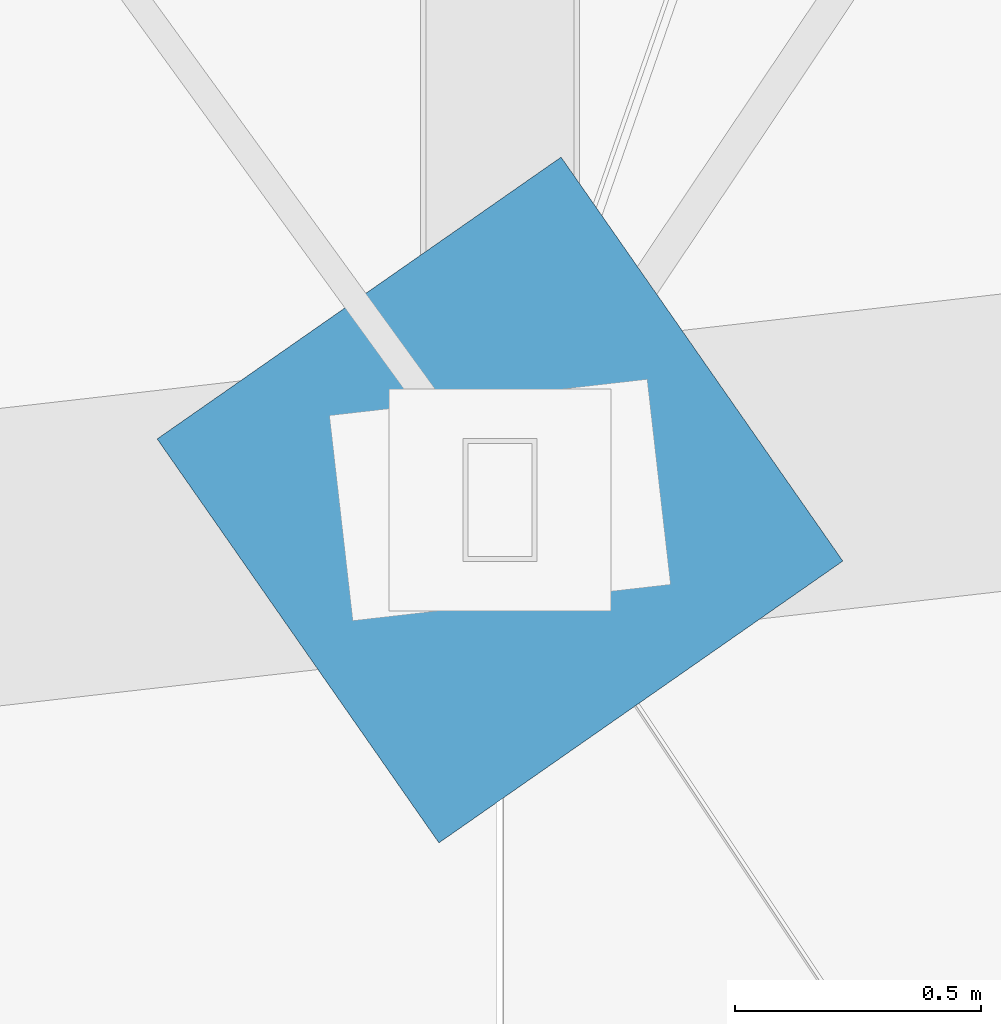
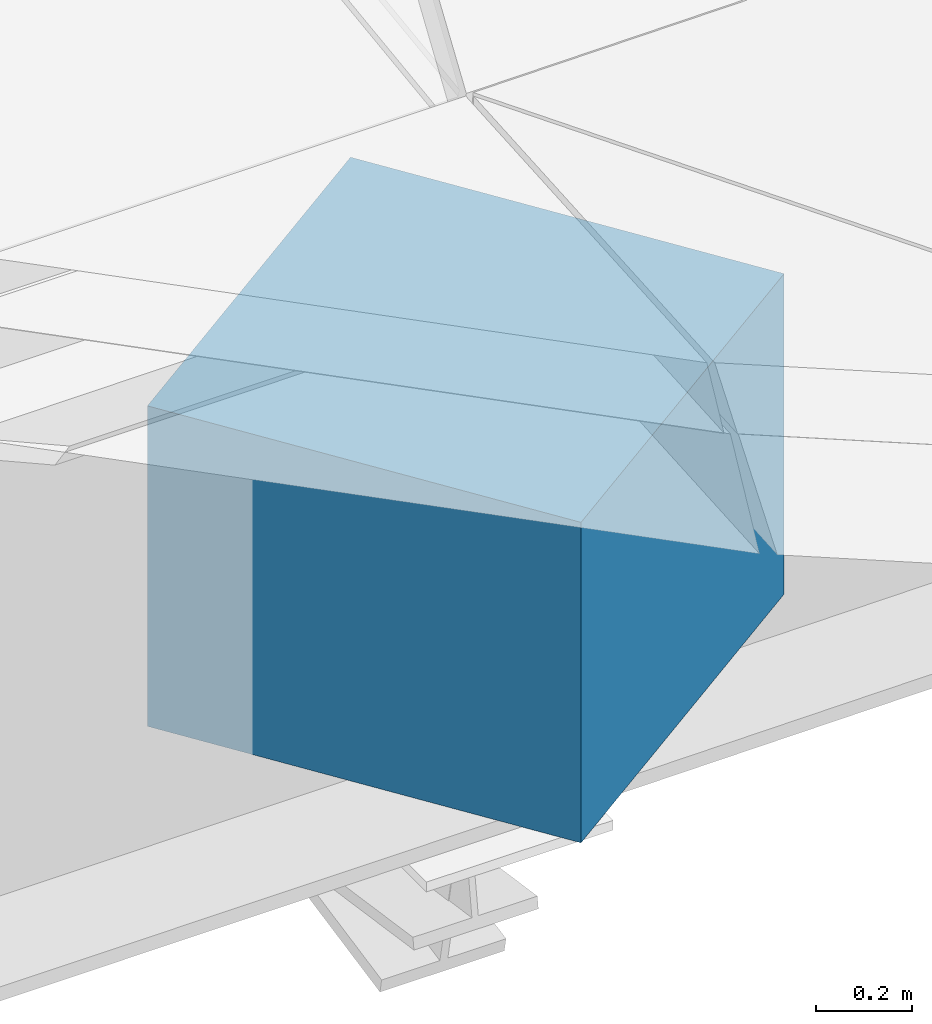
# One storey, part 3 of 68: 1 column.
"""IFC4 building model written with IfcOpenShell, lengths in metres."""

from ifc_helpers import new_model, si_unit, direction, frame, origin, origin_2d, place, context, subcontext, project, spatial, rectangle, extrude, material, material_profile, profile_set, type_object, element, save


model = new_model("IFC4")

# Units and contexts
model_context = context("Model", 3, precision=1e-05, world=origin(), true_north=direction((0.0, 1.0)))
body_context = subcontext(model_context, "Body", "Model", "MODEL_VIEW")
ifc_project = project(units=[si_unit("LENGTHUNIT", "METRE"), si_unit("AREAUNIT", "SQUARE_METRE"), si_unit("VOLUMEUNIT", "CUBIC_METRE"), si_unit("PLANEANGLEUNIT", "RADIAN"), si_unit("MASSUNIT", "GRAM", prefix="KILO")], contexts=[model_context])

# Site, building, storey
site_placement = place(None, origin())
site = spatial("IfcSite", under=ifc_project, at=site_placement, CompositionType="ELEMENT")
building_placement = place(site_placement, origin())
building = spatial("IfcBuilding", under=site, at=building_placement, Name="Sohan Crest Arena", CompositionType="ELEMENT")
storey_placement = place(building_placement, frame((0.0, 0.0, 27.0)))
storey = spatial("IfcBuildingStorey", under=building, at=storey_placement, Name="RF", CompositionType="ELEMENT", Elevation=27.0)

# Column
ifc_material = material(Name="Concrete C40/50", Category="concrete")
ifc_material_profile = material_profile(ifc_material, rectangle(XDim=1.0, YDim=1.0, at=origin_2d()), Name="RC 1000x1000")
ifc_profile_set = profile_set([ifc_material_profile], Name="Concrete C40/50")
column_type = type_object("IfcColumnType", Name="STR-COL-C09", PredefinedType="COLUMN", material=ifc_profile_set)
column_placement = place(storey_placement, frame((118.0, 49.285888671875, 0.0), z_axis=(0.0, 0.0, 1.0), x_axis=(-0.572145873446, 0.820151875874, 0.0)))
element("IfcColumn", 1, at=column_placement, inside=storey, type_object=column_type, Name="Structural column COL-V1R-15-RF", PredefinedType="COLUMN", context=body_context, shape_type="SweptSolid", body=[
    extrude(rectangle(XDim=1.0, YDim=1.0, at=origin_2d()), origin(), (0.0, 0.0, 1.0), 0.81689453125),
])

save(model, "model.ifc")
